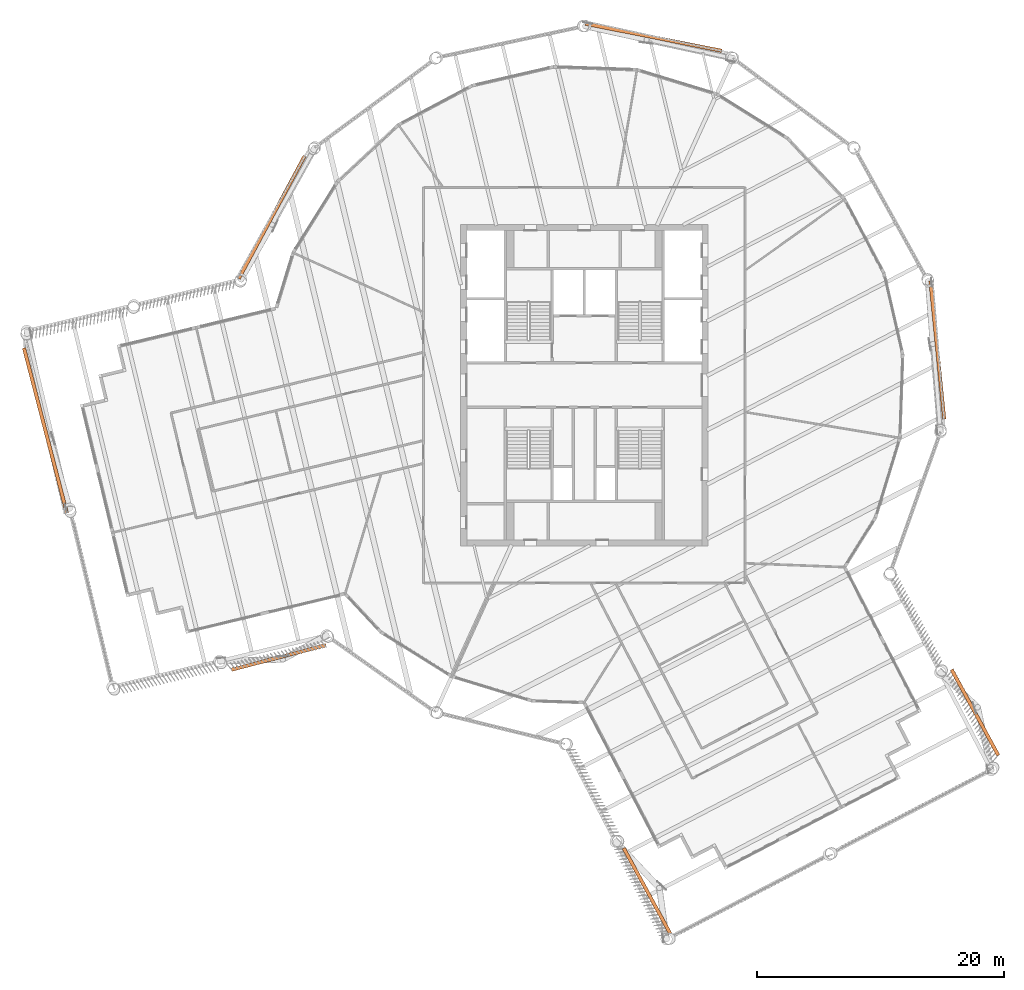
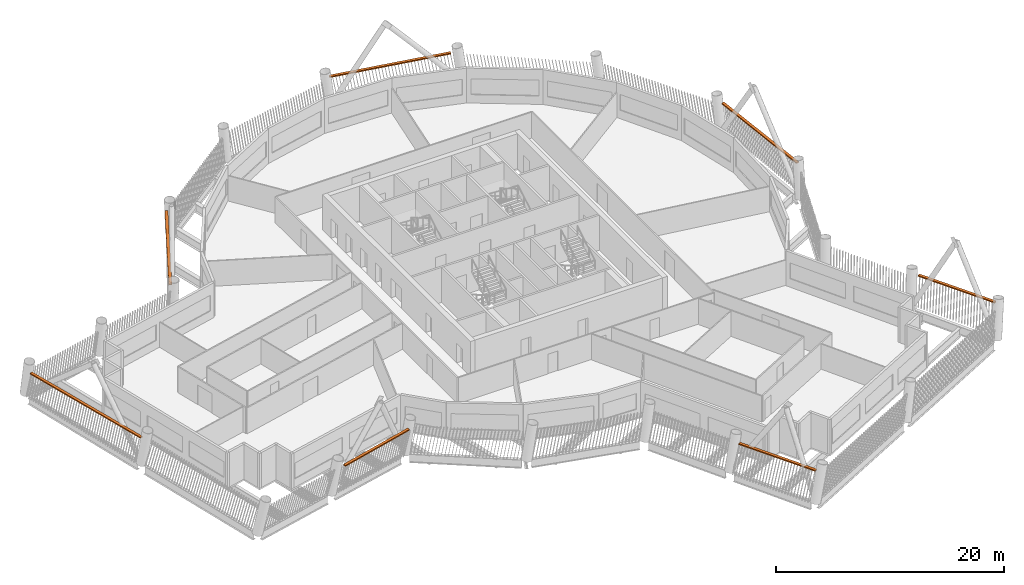
# One storey, part 22 of 22: 7 proxies.
"""IFC4 building model written with IfcOpenShell, lengths in metres."""

from ifc_helpers import new_model, si_unit, direction, frame, origin, origin_2d, place, context, subcontext, project, spatial, rectangle, extrude, material, type_object, element, save


model = new_model("IFC4")

# Units and contexts
model_context = context("Model", 3, precision=1e-05, world=origin(), true_north=direction((0.0, 1.0)))
body_context = subcontext(model_context, "Body", "Model", "MODEL_VIEW")
ifc_project = project(units=[si_unit("LENGTHUNIT", "METRE"), si_unit("AREAUNIT", "SQUARE_METRE"), si_unit("VOLUMEUNIT", "CUBIC_METRE"), si_unit("PLANEANGLEUNIT", "RADIAN"), si_unit("MASSUNIT", "GRAM", prefix="KILO")], contexts=[model_context])

# Site, building, storey
site_placement = place(None, origin())
site = spatial("IfcSite", under=ifc_project, at=site_placement, CompositionType="ELEMENT")
building_placement = place(site_placement, origin())
building = spatial("IfcBuilding", under=site, at=building_placement, Name="Tarsis Ring Headquarters", CompositionType="ELEMENT")
storey_placement = place(building_placement, frame((0.0, 0.0, 339.199951171875)))
storey = spatial("IfcBuildingStorey", under=building, at=storey_placement, Name="L80", CompositionType="ELEMENT", Elevation=339.199951171875)

# Proxies
ifc_material = material(Name="Structural steel S355", Category="steel")
building_element_proxy_type = type_object("IfcBuildingElementProxyType", Name="Screen bracket plate", PredefinedType="USERDEFINED", material=ifc_material)
for number, where, z_axis, x_axis, name in (
    (1, (5.07568359375, -40.899169921875, 2.9677734375), (0.0, 0.0, 1.0), (0.478078808918, -0.878316943059, 0.0), "Screen bracket L80-02"),
    (2, (31.592041015625, -26.4658203125, 2.9677734375), (0.0, 0.0, 1.0), (-0.478078885565, 0.878316901338, 0.0), "Screen bracket L80-05"),
):
    element("IfcBuildingElementProxy", number, at=place(storey_placement, frame(where, z_axis=z_axis, x_axis=x_axis)), inside=storey, type_object=building_element_proxy_type, Name=name, ObjectType="Bracket", PredefinedType="USERDEFINED", context=body_context, shape_type="SweptSolid", body=[
        extrude(rectangle(XDim=7.90234375, YDim=0.280029296875, at=origin_2d()), origin(), (0.0, 0.0, 1.0), 0.1201171875),
    ])
for number, where, z_axis, x_axis, name in (
    (3, (28.548583984375, 2.851318359375, 2.9677734375), (0.0, 0.0, 1.0), (-0.099385309938, 0.995049024003, 0.0), "Screen bracket L80-08"),
    (4, (5.6064453125, 28.137451171875, 2.9677734375), (0.0, 0.0, 1.0), (-0.980721388139, 0.19541125568, 0.0), "Screen bracket L80-11"),
    (5, (-25.275390625, 13.575927734375, 2.9677734375), (0.0, 0.0, 1.0), (-0.473185581179, -0.880962772065, 0.0), "Screen bracket L80-14"),
):
    element("IfcBuildingElementProxy", number, at=place(storey_placement, frame(where, z_axis=z_axis, x_axis=x_axis)), inside=storey, type_object=building_element_proxy_type, Name=name, ObjectType="Bracket", PredefinedType="USERDEFINED", context=body_context, shape_type="SweptSolid", body=[
        extrude(rectangle(XDim=11.248779296875, YDim=0.280029296875, at=origin_2d()), origin(), (0.0, 0.0, 1.0), 0.1201171875),
    ])
proxy_1_placement = place(storey_placement, frame((-43.5712890625, -3.67138671875, 2.9677734375), z_axis=(0.0, 0.0, 1.0), x_axis=(0.251393708421, -0.967884912253, 0.0)))
element("IfcBuildingElementProxy", 6, at=proxy_1_placement, inside=storey, type_object=building_element_proxy_type, Name="Screen bracket L80-17", ObjectType="Bracket", PredefinedType="USERDEFINED", context=body_context, shape_type="SweptSolid", body=[
    extrude(rectangle(XDim=13.800048828125, YDim=0.280029296875, at=origin_2d()), origin(), (0.0, 0.0, 1.0), 0.1201171875),
])
proxy_2_placement = place(storey_placement, frame((-24.706298828125, -22.012939453125, 2.9677734375), z_axis=(0.0, 0.0, 1.0), x_axis=(0.967884903477, 0.251393742207, 0.0)))
element("IfcBuildingElementProxy", 7, at=proxy_2_placement, inside=storey, type_object=building_element_proxy_type, Name="Screen bracket L80-20", ObjectType="Bracket", PredefinedType="USERDEFINED", context=body_context, shape_type="SweptSolid", body=[
    extrude(rectangle(XDim=7.90234375, YDim=0.280029296875, at=origin_2d()), origin(), (0.0, 0.0, 1.0), 0.1201171875),
])

save(model, "model.ifc")
